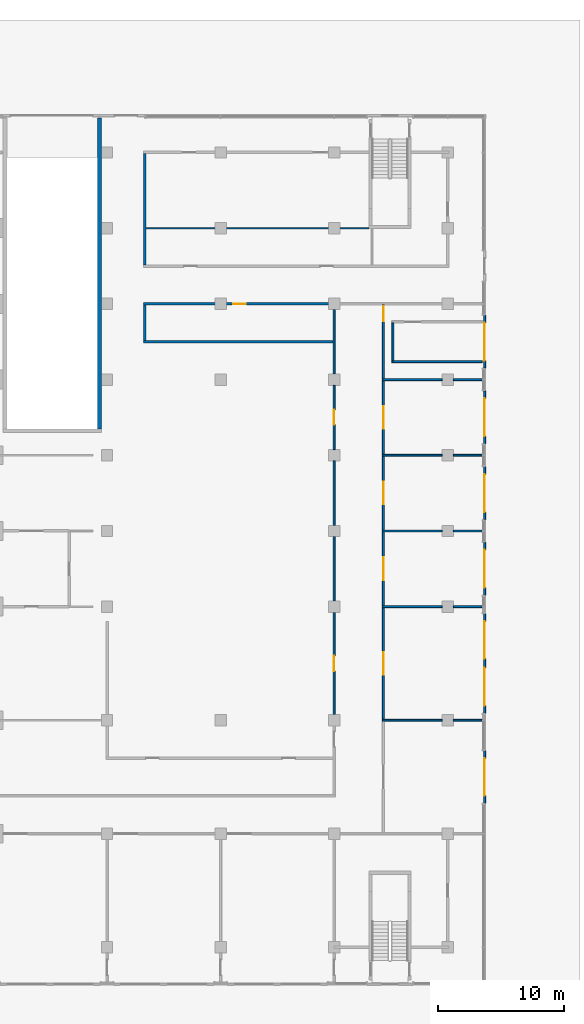
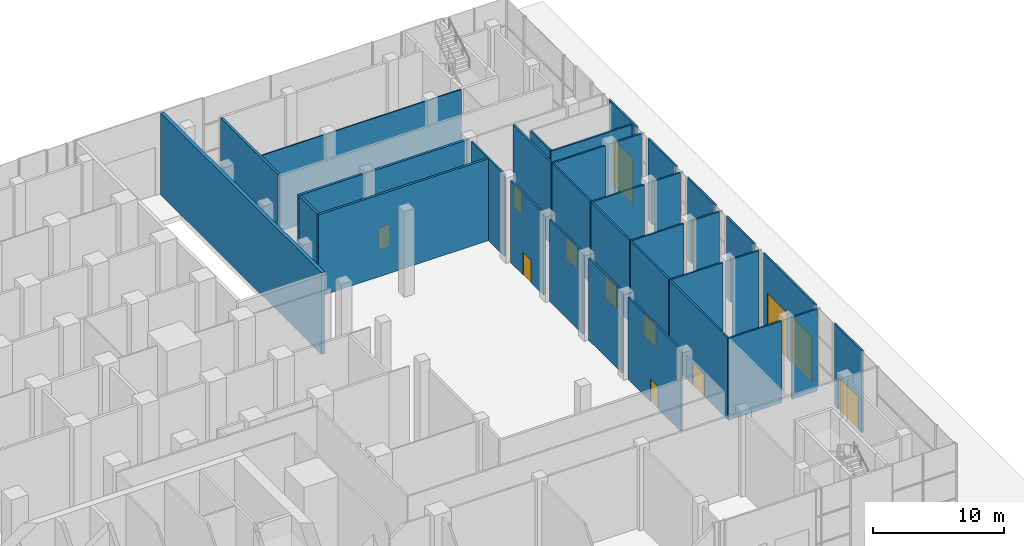
# One storey, part 23 of 29: 34 walls, 15 doors, 15 openings.
"""IFC4 building model written with IfcOpenShell, lengths in metres."""

from ifc_helpers import new_model, si_unit, direction, frame, frame_2d, origin, place, context, subcontext, project, spatial, rectangle, extrude, material, layer, layer_set, type_object, element, fill, save


model = new_model("IFC4")

# Units and contexts
model_context = context("Model", 3, precision=1e-05, world=origin(), true_north=direction((0.0, 1.0)))
body_context = subcontext(model_context, "Body", "Model", "MODEL_VIEW")
ifc_project = project(units=[si_unit("LENGTHUNIT", "METRE"), si_unit("AREAUNIT", "SQUARE_METRE"), si_unit("VOLUMEUNIT", "CUBIC_METRE"), si_unit("PLANEANGLEUNIT", "RADIAN"), si_unit("MASSUNIT", "GRAM", prefix="KILO")], contexts=[model_context])

# Site, building, storey
site_placement = place(None, origin())
site = spatial("IfcSite", under=ifc_project, at=site_placement, CompositionType="ELEMENT")
building_placement = place(site_placement, origin())
building = spatial("IfcBuilding", under=site, at=building_placement, Name="Finial Court Residences", CompositionType="ELEMENT")
storey_placement = place(building_placement, origin())
storey = spatial("IfcBuildingStorey", under=building, at=storey_placement, Name="L00", CompositionType="ELEMENT", Elevation=0.0)

# Wall
ifc_material_1 = material(Name="Gypsum board")
ifc_layer_1 = layer(ifc_material_1, 0.02490234375)
ifc_material_2 = material(Name="Acoustic mineral wool in double frame")
ifc_layer_2 = layer(ifc_material_2, 0.14990234375)
ifc_layer_3 = layer(ifc_material_1, 0.02490234375)
ifc_layer_set_1 = layer_set([ifc_layer_1, ifc_layer_2, ifc_layer_3], Name="Corridor wall 200, 1 hour")
wall_type_1 = type_object("IfcWallType", Name="Corridor wall 200, 1 hour", PredefinedType="PARTITIONING", material=ifc_layer_set_1)
wall_1_placement = place(storey_placement, frame((34.39990234375, 16.5, 0.0), z_axis=(0.0, 0.0, 1.0), x_axis=(1.0, 0.0, 0.0)))
element("IfcWall", 1, at=wall_1_placement, inside=storey, type_object=wall_type_1, Name="Partition L00-023", PredefinedType="PARTITIONING", context=body_context, shape_type="SweptSolid", body=[
    extrude(rectangle(XDim=15.10009765625, YDim=0.199951171875, at=frame_2d((7.550048828125, 0.0))), origin(), (0.0, 0.0, 1.0), 7.64990234375),
])

# Wall, opening, door
wall_2_placement = place(storey_placement, frame((34.39990234375, 19.5, 0.0), z_axis=(0.0, 0.0, 1.0), x_axis=(1.0, 0.0, 0.0)))
wall_2 = element("IfcWall", 2, at=wall_2_placement, inside=storey, type_object=wall_type_1, Name="Partition L00-025", PredefinedType="PARTITIONING", context=body_context, shape_type="SweptSolid", body=[
    extrude(rectangle(XDim=15.10009765625, YDim=0.199951171875, at=frame_2d((7.550048828125, 0.0))), origin(), (0.0, 0.0, 1.0), 7.64990234375),
])
opening_1_placement = place(wall_2_placement, frame((7.10009765625, 0.0, 0.0)))
opening_1 = element("IfcOpeningElement", 3, at=opening_1_placement, cuts=wall_2, Name="Opening L00-D028", PredefinedType="OPENING", context=body_context, shape_type="SweptSolid", body=[
    extrude(rectangle(XDim=1.0, YDim=2.10009765625, at=frame_2d((0.5, 1.050048828125))), frame((0.0, 0.10986328125, 0.0), z_axis=(0.0, -1.0, 0.0), x_axis=(1.0, 0.0, 0.0)), (0.0, 0.0, 1.0), 0.219970703125),
])
ifc_material_3 = material(Name="Timber door leaf in hollow metal frame", Category="wood")
door_type_1 = type_object("IfcDoorType", Name="Fire door set 1000 x 2100, 30 minutes", OperationType="SINGLE_SWING_LEFT", PredefinedType="DOOR", material=ifc_material_3)
door_1_placement = place(opening_1_placement, origin())
door_1 = element("IfcDoor", 4, at=door_1_placement, inside=storey, type_object=door_type_1, Name="Door L00-D028", OperationType="SINGLE_SWING_RIGHT", OverallHeight=2.10009765625, OverallWidth=1.0, PredefinedType="DOOR", context=body_context, shape_type="SweptSolid", body=[
    extrude(rectangle(XDim=1.0, YDim=2.10009765625, at=frame_2d((0.5, 1.050048828125))), frame((0.0, 0.02490234375, 0.0), z_axis=(0.0, -1.0, 0.0), x_axis=(1.0, 0.0, 0.0)), (0.0, 0.0, 1.0), 0.050048828125),
])
fill(opening_1, door_1)

# Walls
wall_3_placement = place(storey_placement, frame((34.5, 16.60009765625, 0.0), z_axis=(0.0, 0.0, 1.0), x_axis=(0.0, 1.0, 0.0)))
element("IfcWall", 5, at=wall_3_placement, inside=storey, type_object=wall_type_1, Name="Partition L00-049", PredefinedType="PARTITIONING", context=body_context, shape_type="SweptSolid", body=[
    extrude(rectangle(XDim=2.7998046875, YDim=0.199951171875, at=frame_2d((1.39990234375, 0.0))), origin(), (0.0, 0.0, 1.0), 7.64990234375),
])
wall_4_placement = place(storey_placement, frame((34.5, 22.60009765625, 0.0), z_axis=(0.0, 0.0, 1.0), x_axis=(0.0, 1.0, 0.0)))
element("IfcWall", 6, at=wall_4_placement, inside=storey, type_object=wall_type_1, Name="Partition L00-050", PredefinedType="PARTITIONING", context=body_context, shape_type="SweptSolid", body=[
    extrude(rectangle(XDim=8.7998046875, YDim=0.199951171875, at=frame_2d((4.39990234375, 0.0))), origin(), (0.0, 0.0, 1.0), 7.64990234375),
])

# Wall, opening, door
ifc_material_4 = material(Name="Natural limestone", Category="masonry")
ifc_layer_4 = layer(ifc_material_4, 0.14990234375)
ifc_layer_set_2 = layer_set([ifc_layer_4], Name="Entrance portal wall, limestone 150")
wall_type_2 = type_object("IfcWallType", Name="Entrance portal wall, limestone 150", PredefinedType="SOLIDWALL", material=ifc_layer_set_2)
wall_5_placement = place(storey_placement, frame((61.425048828125, -15.89990234375, 0.0), z_axis=(0.0, 0.0, 1.0), x_axis=(0.0, -1.0, 0.0)))
wall_5 = element("IfcWall", 7, at=wall_5_placement, inside=storey, type_object=wall_type_2, Name="E-L00-ENT18", PredefinedType="SOLIDWALL", context=body_context, shape_type="SweptSolid", body=[
    extrude(rectangle(XDim=4.2001953125, YDim=0.14990234375, at=frame_2d((2.10009765625, 0.0))), origin(), (0.0, 0.0, 1.0), 7.64990234375),
])
opening_2_placement = place(wall_5_placement, frame((0.60009765625, 0.0, 0.0)))
opening_2 = element("IfcOpeningElement", 8, at=opening_2_placement, cuts=wall_5, Name="Opening DE00-18", PredefinedType="OPENING", context=body_context, shape_type="SweptSolid", body=[
    extrude(rectangle(XDim=3.0, YDim=3.0, at=frame_2d((1.5, 1.5))), frame((0.0, 0.0849609375, 0.0), z_axis=(0.0, -1.0, 0.0), x_axis=(1.0, 0.0, 0.0)), (0.0, 0.0, 1.0), 0.169921875),
])
ifc_material_5 = material(Name="Steel S355", Category="steel")
door_type_2 = type_object("IfcDoorType", Name="Refuse door, overhead roller 3000 x 3000", OperationType="ROLLINGUP", PredefinedType="DOOR", material=ifc_material_5)
door_2_placement = place(opening_2_placement, origin())
door_2 = element("IfcDoor", 9, at=door_2_placement, inside=storey, type_object=door_type_2, Name="E-L00-ENT18-D", OperationType="ROLLINGUP", OverallHeight=3.0, OverallWidth=3.0, PredefinedType="DOOR", context=body_context, shape_type="SweptSolid", body=[
    extrude(rectangle(XDim=3.0, YDim=3.0, at=frame_2d((1.5, 1.5))), frame((0.0, 0.02490234375, 0.0), z_axis=(0.0, -1.0, 0.0), x_axis=(1.0, 0.0, 0.0)), (0.0, 0.0, 1.0), 0.050048828125),
])
fill(opening_2, door_2)

wall_6_placement = place(storey_placement, frame((61.425048828125, 18.60009765625, 0.0), z_axis=(0.0, 0.0, 1.0), x_axis=(0.0, -1.0, 0.0)))
wall_6 = element("IfcWall", 10, at=wall_6_placement, inside=storey, type_object=wall_type_2, Name="E-L00-ENT19", PredefinedType="SOLIDWALL", context=body_context, shape_type="SweptSolid", body=[
    extrude(rectangle(XDim=4.2001953125, YDim=0.14990234375, at=frame_2d((2.10009765625, 0.0))), origin(), (0.0, 0.0, 1.0), 7.64990234375),
])
opening_3_placement = place(wall_6_placement, frame((0.60009765625, 0.0, 0.0)))
opening_3 = element("IfcOpeningElement", 11, at=opening_3_placement, cuts=wall_6, Name="Opening DE00-19", PredefinedType="OPENING", context=body_context, shape_type="SweptSolid", body=[
    extrude(rectangle(XDim=3.0, YDim=4.300048828125, at=frame_2d((1.5, 2.14990234375))), frame((0.0, 0.0849609375, 0.0), z_axis=(0.0, -1.0, 0.0), x_axis=(1.0, 0.0, 0.0)), (0.0, 0.0, 1.0), 0.169921875),
])
door_type_3 = type_object("IfcDoorType", Name="Move-in door, overhead sectional 3000 x 4300", OperationType="ROLLINGUP", PredefinedType="DOOR", material=ifc_material_5)
door_3_placement = place(opening_3_placement, origin())
door_3 = element("IfcDoor", 12, at=door_3_placement, inside=storey, type_object=door_type_3, Name="E-L00-ENT19-D", OperationType="ROLLINGUP", OverallHeight=4.300048828125, OverallWidth=3.0, PredefinedType="DOOR", context=body_context, shape_type="SweptSolid", body=[
    extrude(rectangle(XDim=3.0, YDim=4.300048828125, at=frame_2d((1.5, 2.14990234375))), frame((0.0, 0.02490234375, 0.0), z_axis=(0.0, -1.0, 0.0), x_axis=(1.0, 0.0, 0.0)), (0.0, 0.0, 1.0), 0.050048828125),
])
fill(opening_3, door_3)

# Wall, openings, doors
wall_7_placement = place(storey_placement, frame((61.425048828125, -5.041748046875, 0.0), z_axis=(0.0, 0.0, 1.0), x_axis=(0.0, -1.0, 0.0)))
wall_7 = element("IfcWall", 13, at=wall_7_placement, inside=storey, type_object=wall_type_2, Name="E-L00-ENT20", PredefinedType="SOLIDWALL", context=body_context, shape_type="SweptSolid", body=[
    extrude(rectangle(XDim=7.91650390625, YDim=0.14990234375, at=frame_2d((3.958251953125, 0.0))), origin(), (0.0, 0.0, 1.0), 7.64990234375),
])
opening_4_placement = place(wall_7_placement, frame((4.316650390625, 0.0, 0.0)))
opening_4 = element("IfcOpeningElement", 14, at=opening_4_placement, cuts=wall_7, Name="Opening DE00-20", PredefinedType="OPENING", context=body_context, shape_type="SweptSolid", body=[
    extrude(rectangle(XDim=3.0, YDim=4.300048828125, at=frame_2d((1.5, 2.14990234375))), frame((0.0, 0.0849609375, 0.0), z_axis=(0.0, -1.0, 0.0), x_axis=(1.0, 0.0, 0.0)), (0.0, 0.0, 1.0), 0.169921875),
])
opening_5_placement = place(wall_7_placement, frame((0.60009765625, 0.0, 0.0)))
opening_5 = element("IfcOpeningElement", 15, at=opening_5_placement, cuts=wall_7, Name="Opening DE00-21", PredefinedType="OPENING", context=body_context, shape_type="SweptSolid", body=[
    extrude(rectangle(XDim=3.0, YDim=4.300048828125, at=frame_2d((1.5, 2.14990234375))), frame((0.0, 0.0849609375, 0.0), z_axis=(0.0, -1.0, 0.0), x_axis=(1.0, 0.0, 0.0)), (0.0, 0.0, 1.0), 0.169921875),
])
door_type_4 = type_object("IfcDoorType", Name="Dock door, overhead sectional 3000 x 4300", OperationType="ROLLINGUP", PredefinedType="DOOR", material=ifc_material_5)
door_4_placement = place(opening_4_placement, origin())
door_4 = element("IfcDoor", 16, at=door_4_placement, inside=storey, type_object=door_type_4, Name="E-L00-ENT20-D1", OperationType="ROLLINGUP", OverallHeight=4.300048828125, OverallWidth=3.0, PredefinedType="DOOR", context=body_context, shape_type="SweptSolid", body=[
    extrude(rectangle(XDim=3.0, YDim=4.300048828125, at=frame_2d((1.5, 2.14990234375))), frame((0.0, 0.02490234375, 0.0), z_axis=(0.0, -1.0, 0.0), x_axis=(1.0, 0.0, 0.0)), (0.0, 0.0, 1.0), 0.050048828125),
])
fill(opening_4, door_4)
door_5_placement = place(opening_5_placement, origin())
door_5 = element("IfcDoor", 17, at=door_5_placement, inside=storey, type_object=door_type_4, Name="E-L00-ENT20-D2", OperationType="ROLLINGUP", OverallHeight=4.300048828125, OverallWidth=3.0, PredefinedType="DOOR", context=body_context, shape_type="SweptSolid", body=[
    extrude(rectangle(XDim=3.0, YDim=4.300048828125, at=frame_2d((1.5, 2.14990234375))), frame((0.0, 0.02490234375, 0.0), z_axis=(0.0, -1.0, 0.0), x_axis=(1.0, 0.0, 0.0)), (0.0, 0.0, 1.0), 0.050048828125),
])
fill(opening_5, door_5)

# Wall, opening, door
wall_8_placement = place(storey_placement, frame((61.425048828125, 0.60009765625, 0.0), z_axis=(0.0, 0.0, 1.0), x_axis=(0.0, -1.0, 0.0)))
wall_8 = element("IfcWall", 18, at=wall_8_placement, inside=storey, type_object=wall_type_2, Name="E-L00-ENT21", PredefinedType="SOLIDWALL", context=body_context, shape_type="SweptSolid", body=[
    extrude(rectangle(XDim=4.2001953125, YDim=0.14990234375, at=frame_2d((2.10009765625, 0.0))), origin(), (0.0, 0.0, 1.0), 7.64990234375),
])
opening_6_placement = place(wall_8_placement, frame((0.60009765625, 0.0, 0.0)))
opening_6 = element("IfcOpeningElement", 19, at=opening_6_placement, cuts=wall_8, Name="Opening DE00-22", PredefinedType="OPENING", context=body_context, shape_type="SweptSolid", body=[
    extrude(rectangle(XDim=3.0, YDim=4.300048828125, at=frame_2d((1.5, 2.14990234375))), frame((0.0, 0.0849609375, 0.0), z_axis=(0.0, -1.0, 0.0), x_axis=(1.0, 0.0, 0.0)), (0.0, 0.0, 1.0), 0.169921875),
])
door_6_placement = place(opening_6_placement, origin())
door_6 = element("IfcDoor", 20, at=door_6_placement, inside=storey, type_object=door_type_4, Name="E-L00-ENT21-D", OperationType="ROLLINGUP", OverallHeight=4.300048828125, OverallWidth=3.0, PredefinedType="DOOR", context=body_context, shape_type="SweptSolid", body=[
    extrude(rectangle(XDim=3.0, YDim=4.300048828125, at=frame_2d((1.5, 2.14990234375))), frame((0.0, 0.02490234375, 0.0), z_axis=(0.0, -1.0, 0.0), x_axis=(1.0, 0.0, 0.0)), (0.0, 0.0, 1.0), 0.050048828125),
])
fill(opening_6, door_6)

wall_9_placement = place(storey_placement, frame((61.425048828125, 6.60009765625, 0.0), z_axis=(0.0, 0.0, 1.0), x_axis=(0.0, -1.0, 0.0)))
wall_9 = element("IfcWall", 21, at=wall_9_placement, inside=storey, type_object=wall_type_2, Name="E-L00-ENT22", PredefinedType="SOLIDWALL", context=body_context, shape_type="SweptSolid", body=[
    extrude(rectangle(XDim=4.2001953125, YDim=0.14990234375, at=frame_2d((2.10009765625, 0.0))), origin(), (0.0, 0.0, 1.0), 7.64990234375),
])
opening_7_placement = place(wall_9_placement, frame((0.60009765625, 0.0, 0.0)))
opening_7 = element("IfcOpeningElement", 22, at=opening_7_placement, cuts=wall_9, Name="Opening DE00-23", PredefinedType="OPENING", context=body_context, shape_type="SweptSolid", body=[
    extrude(rectangle(XDim=3.0, YDim=4.300048828125, at=frame_2d((1.5, 2.14990234375))), frame((0.0, 0.0849609375, 0.0), z_axis=(0.0, -1.0, 0.0), x_axis=(1.0, 0.0, 0.0)), (0.0, 0.0, 1.0), 0.169921875),
])
door_7_placement = place(opening_7_placement, origin())
door_7 = element("IfcDoor", 23, at=door_7_placement, inside=storey, type_object=door_type_4, Name="E-L00-ENT22-D", OperationType="ROLLINGUP", OverallHeight=4.300048828125, OverallWidth=3.0, PredefinedType="DOOR", context=body_context, shape_type="SweptSolid", body=[
    extrude(rectangle(XDim=3.0, YDim=4.300048828125, at=frame_2d((1.5, 2.14990234375))), frame((0.0, 0.02490234375, 0.0), z_axis=(0.0, -1.0, 0.0), x_axis=(1.0, 0.0, 0.0)), (0.0, 0.0, 1.0), 0.050048828125),
])
fill(opening_7, door_7)

wall_10_placement = place(storey_placement, frame((61.425048828125, 12.60009765625, 0.0), z_axis=(0.0, 0.0, 1.0), x_axis=(0.0, -1.0, 0.0)))
wall_10 = element("IfcWall", 24, at=wall_10_placement, inside=storey, type_object=wall_type_2, Name="E-L00-ENT23", PredefinedType="SOLIDWALL", context=body_context, shape_type="SweptSolid", body=[
    extrude(rectangle(XDim=4.2001953125, YDim=0.14990234375, at=frame_2d((2.10009765625, 0.0))), origin(), (0.0, 0.0, 1.0), 7.64990234375),
])
opening_8_placement = place(wall_10_placement, frame((0.60009765625, 0.0, 0.0)))
opening_8 = element("IfcOpeningElement", 25, at=opening_8_placement, cuts=wall_10, Name="Opening DE00-24", PredefinedType="OPENING", context=body_context, shape_type="SweptSolid", body=[
    extrude(rectangle(XDim=3.0, YDim=4.300048828125, at=frame_2d((1.5, 2.14990234375))), frame((0.0, 0.0849609375, 0.0), z_axis=(0.0, -1.0, 0.0), x_axis=(1.0, 0.0, 0.0)), (0.0, 0.0, 1.0), 0.169921875),
])
door_8_placement = place(opening_8_placement, origin())
door_8 = element("IfcDoor", 26, at=door_8_placement, inside=storey, type_object=door_type_4, Name="E-L00-ENT23-D", OperationType="ROLLINGUP", OverallHeight=4.300048828125, OverallWidth=3.0, PredefinedType="DOOR", context=body_context, shape_type="SweptSolid", body=[
    extrude(rectangle(XDim=3.0, YDim=4.300048828125, at=frame_2d((1.5, 2.14990234375))), frame((0.0, 0.02490234375, 0.0), z_axis=(0.0, -1.0, 0.0), x_axis=(1.0, 0.0, 0.0)), (0.0, 0.0, 1.0), 0.050048828125),
])
fill(opening_8, door_8)

# Walls
ifc_layer_5 = layer(ifc_material_1, 0.012451171875)
ifc_material_6 = material(Name="Mineral wool in light-gauge frame")
ifc_layer_6 = layer(ifc_material_6, 0.074951171875)
ifc_layer_7 = layer(ifc_material_1, 0.012451171875)
ifc_layer_set_3 = layer_set([ifc_layer_5, ifc_layer_6, ifc_layer_7], Name="Gypsum board partition 100")
wall_type_3 = type_object("IfcWallType", Name="Gypsum board partition 100", PredefinedType="PARTITIONING", material=ifc_layer_set_3)
wall_11_placement = place(storey_placement, frame((34.60009765625, 25.5, 0.0), z_axis=(0.0, 0.0, 1.0), x_axis=(1.0, 0.0, 0.0)))
element("IfcWall", 27, at=wall_11_placement, inside=storey, type_object=wall_type_3, Name="Partition L00-029", PredefinedType="PARTITIONING", context=body_context, shape_type="SweptSolid", body=[
    extrude(rectangle(XDim=17.64990234375, YDim=0.10009765625, at=frame_2d((8.824951171875, 0.0))), origin(), (0.0, 0.0, 1.0), 7.64990234375),
])
ifc_material_7 = material(Name="Concrete C32/40", Category="concrete")
ifc_layer_8 = layer(ifc_material_7, 0.300048828125)
ifc_layer_set_4 = layer_set([ifc_layer_8], Name="Ramp hall wall 300 Concrete C32/40")
wall_type_4 = type_object("IfcWallType", Name="Ramp hall wall 300 Concrete C32/40", PredefinedType="SOLIDWALL", material=ifc_layer_set_4)
wall_12_placement = place(storey_placement, frame((30.89990234375, 9.60009765625, 0.0), z_axis=(0.0, 0.0, 1.0), x_axis=(0.0, 1.0, 0.0)))
element("IfcWall", 28, at=wall_12_placement, inside=storey, type_object=wall_type_4, Name="Ramp hall wall L00-V031", PredefinedType="SOLIDWALL", context=body_context, shape_type="SweptSolid", body=[
    extrude(rectangle(XDim=24.64990234375, YDim=0.300048828125, at=frame_2d((12.324951171875, 0.0))), origin(), (0.0, 0.0, 1.0), 7.64990234375),
])
ifc_material_8 = material(Name="Concrete C25/30", Category="concrete")
ifc_layer_9 = layer(ifc_material_8, 0.14990234375)
ifc_layer_set_5 = layer_set([ifc_layer_9], Name="Service partition 150 Concrete C25/30")
wall_type_5 = type_object("IfcWallType", Name="Service partition 150 Concrete C25/30", PredefinedType="PARTITIONING", material=ifc_layer_set_5)
wall_13_placement = place(storey_placement, frame((53.324951171875, -13.5, 0.0), z_axis=(0.0, 0.0, 1.0), x_axis=(1.0, 0.0, 0.0)))
element("IfcWall", 29, at=wall_13_placement, inside=storey, type_object=wall_type_5, Name="Service partition L00-V008", PredefinedType="PARTITIONING", context=body_context, shape_type="SweptSolid", body=[
    extrude(rectangle(XDim=4.72509765625, YDim=0.14990234375, at=frame_2d((2.362548828125, 0.0))), origin(), (0.0, 0.0, 1.0), 7.64990234375),
])
wall_14_placement = place(storey_placement, frame((58.949951171875, -13.5, 0.0), z_axis=(0.0, 0.0, 1.0), x_axis=(1.0, 0.0, 0.0)))
element("IfcWall", 30, at=wall_14_placement, inside=storey, type_object=wall_type_5, Name="Service partition L00-V009", PredefinedType="PARTITIONING", context=body_context, shape_type="SweptSolid", body=[
    extrude(rectangle(XDim=2.275146484375, YDim=0.14990234375, at=frame_2d((1.1376953125, 0.0))), origin(), (0.0, 0.0, 1.0), 7.64990234375),
])
wall_15_placement = place(storey_placement, frame((53.324951171875, -4.5, 0.0), z_axis=(0.0, 0.0, 1.0), x_axis=(1.0, 0.0, 0.0)))
element("IfcWall", 31, at=wall_15_placement, inside=storey, type_object=wall_type_5, Name="Service partition L00-V012", PredefinedType="PARTITIONING", context=body_context, shape_type="SweptSolid", body=[
    extrude(rectangle(XDim=4.72509765625, YDim=0.14990234375, at=frame_2d((2.362548828125, 0.0))), origin(), (0.0, 0.0, 1.0), 7.64990234375),
])
wall_16_placement = place(storey_placement, frame((58.949951171875, -4.5, 0.0), z_axis=(0.0, 0.0, 1.0), x_axis=(1.0, 0.0, 0.0)))
element("IfcWall", 32, at=wall_16_placement, inside=storey, type_object=wall_type_5, Name="Service partition L00-V013", PredefinedType="PARTITIONING", context=body_context, shape_type="SweptSolid", body=[
    extrude(rectangle(XDim=2.275146484375, YDim=0.14990234375, at=frame_2d((1.1376953125, 0.0))), origin(), (0.0, 0.0, 1.0), 7.64990234375),
])
wall_17_placement = place(storey_placement, frame((53.324951171875, 1.5, 0.0), z_axis=(0.0, 0.0, 1.0), x_axis=(1.0, 0.0, 0.0)))
element("IfcWall", 33, at=wall_17_placement, inside=storey, type_object=wall_type_5, Name="Service partition L00-V014", PredefinedType="PARTITIONING", context=body_context, shape_type="SweptSolid", body=[
    extrude(rectangle(XDim=4.72509765625, YDim=0.14990234375, at=frame_2d((2.362548828125, 0.0))), origin(), (0.0, 0.0, 1.0), 7.64990234375),
])
wall_18_placement = place(storey_placement, frame((58.949951171875, 1.5, 0.0), z_axis=(0.0, 0.0, 1.0), x_axis=(1.0, 0.0, 0.0)))
element("IfcWall", 34, at=wall_18_placement, inside=storey, type_object=wall_type_5, Name="Service partition L00-V015", PredefinedType="PARTITIONING", context=body_context, shape_type="SweptSolid", body=[
    extrude(rectangle(XDim=2.275146484375, YDim=0.14990234375, at=frame_2d((1.1376953125, 0.0))), origin(), (0.0, 0.0, 1.0), 7.64990234375),
])
wall_19_placement = place(storey_placement, frame((53.324951171875, 7.5, 0.0), z_axis=(0.0, 0.0, 1.0), x_axis=(1.0, 0.0, 0.0)))
element("IfcWall", 35, at=wall_19_placement, inside=storey, type_object=wall_type_5, Name="Service partition L00-V016", PredefinedType="PARTITIONING", context=body_context, shape_type="SweptSolid", body=[
    extrude(rectangle(XDim=4.72509765625, YDim=0.14990234375, at=frame_2d((2.362548828125, 0.0))), origin(), (0.0, 0.0, 1.0), 7.64990234375),
])
wall_20_placement = place(storey_placement, frame((58.949951171875, 7.5, 0.0), z_axis=(0.0, 0.0, 1.0), x_axis=(1.0, 0.0, 0.0)))
element("IfcWall", 36, at=wall_20_placement, inside=storey, type_object=wall_type_5, Name="Service partition L00-V017", PredefinedType="PARTITIONING", context=body_context, shape_type="SweptSolid", body=[
    extrude(rectangle(XDim=2.275146484375, YDim=0.14990234375, at=frame_2d((1.1376953125, 0.0))), origin(), (0.0, 0.0, 1.0), 7.64990234375),
])
wall_21_placement = place(storey_placement, frame((53.324951171875, 13.5, 0.0), z_axis=(0.0, 0.0, 1.0), x_axis=(1.0, 0.0, 0.0)))
element("IfcWall", 37, at=wall_21_placement, inside=storey, type_object=wall_type_5, Name="Service partition L00-V019", PredefinedType="PARTITIONING", context=body_context, shape_type="SweptSolid", body=[
    extrude(rectangle(XDim=4.72509765625, YDim=0.14990234375, at=frame_2d((2.362548828125, 0.0))), origin(), (0.0, 0.0, 1.0), 7.64990234375),
])
wall_22_placement = place(storey_placement, frame((58.949951171875, 13.5, 0.0), z_axis=(0.0, 0.0, 1.0), x_axis=(1.0, 0.0, 0.0)))
element("IfcWall", 38, at=wall_22_placement, inside=storey, type_object=wall_type_5, Name="Service partition L00-V020", PredefinedType="PARTITIONING", context=body_context, shape_type="SweptSolid", body=[
    extrude(rectangle(XDim=2.275146484375, YDim=0.14990234375, at=frame_2d((1.1376953125, 0.0))), origin(), (0.0, 0.0, 1.0), 7.64990234375),
])
wall_23_placement = place(storey_placement, frame((54.074951171875, 14.925048828125, 0.0), z_axis=(0.0, 0.0, 1.0), x_axis=(1.0, 0.0, 0.0)))
element("IfcWall", 39, at=wall_23_placement, inside=storey, type_object=wall_type_5, Name="Service partition L00-V021", PredefinedType="PARTITIONING", context=body_context, shape_type="SweptSolid", body=[
    extrude(rectangle(XDim=7.150146484375, YDim=0.14990234375, at=frame_2d((3.5751953125, 0.0))), origin(), (0.0, 0.0, 1.0), 7.64990234375),
])

# Wall, opening, door
wall_24_placement = place(storey_placement, frame((49.5, -13.050048828125, 0.0), z_axis=(0.0, 0.0, 1.0), x_axis=(0.0, 1.0, 0.0)))
wall_24 = element("IfcWall", 40, at=wall_24_placement, inside=storey, type_object=wall_type_5, Name="Service partition L00-V039", PredefinedType="PARTITIONING", context=body_context, shape_type="SweptSolid", body=[
    extrude(rectangle(XDim=8.10009765625, YDim=0.14990234375, at=frame_2d((4.050048828125, 0.0))), origin(), (0.0, 0.0, 1.0), 7.64990234375),
])
opening_9_placement = place(wall_24_placement, frame((3.449951171875, 0.0, 0.0)))
opening_9 = element("IfcOpeningElement", 41, at=opening_9_placement, cuts=wall_24, Name="Opening L00-V15", PredefinedType="OPENING", context=body_context, shape_type="SweptSolid", body=[
    extrude(rectangle(XDim=1.199951171875, YDim=2.10009765625, at=frame_2d((0.60009765625, 1.050048828125))), frame((0.0, 0.0849609375, 0.0), z_axis=(0.0, -1.0, 0.0), x_axis=(1.0, 0.0, 0.0)), (0.0, 0.0, 1.0), 0.169921875),
])
ifc_material_9 = material(Name="Steel fire door", Category="steel")
door_type_5 = type_object("IfcDoorType", Name="Service access door 1200 x 2100 EI 60", OperationType="NOTDEFINED", PredefinedType="DOOR", material=ifc_material_9)
door_9_placement = place(opening_9_placement, origin())
door_9 = element("IfcDoor", 42, at=door_9_placement, inside=storey, type_object=door_type_5, Name="Service access door L00-V15", OperationType="SINGLE_SWING_LEFT", OverallHeight=2.10009765625, OverallWidth=1.199951171875, PredefinedType="DOOR", context=body_context, shape_type="SweptSolid", body=[
    extrude(rectangle(XDim=1.199951171875, YDim=2.10009765625, at=frame_2d((0.60009765625, 1.050048828125))), frame((0.0, 0.02490234375, 0.0), z_axis=(0.0, -1.0, 0.0), x_axis=(1.0, 0.0, 0.0)), (0.0, 0.0, 1.0), 0.050048828125),
])
fill(opening_9, door_9)

# Walls
for number, where, z_axis, x_axis, name in (
    (43, (49.5, -4.050048828125, 0.0), (0.0, 0.0, 1.0), (0.0, 1.0, 0.0), "Service partition L00-V040"),
    (44, (49.5, 1.949951171875, 0.0), (0.0, 0.0, 1.0), (0.0, 1.0, 0.0), "Service partition L00-V041"),
):
    element("IfcWall", number, at=place(storey_placement, frame(where, z_axis=z_axis, x_axis=x_axis)), inside=storey, type_object=wall_type_5, Name=name, PredefinedType="PARTITIONING", context=body_context, shape_type="SweptSolid", body=[
        extrude(rectangle(XDim=5.10009765625, YDim=0.14990234375, at=frame_2d((2.550048828125, 0.0))), origin(), (0.0, 0.0, 1.0), 7.64990234375),
    ])

# Wall, opening, door
wall_25_placement = place(storey_placement, frame((49.5, 7.949951171875, 0.0), z_axis=(0.0, 0.0, 1.0), x_axis=(0.0, 1.0, 0.0)))
wall_25 = element("IfcWall", 45, at=wall_25_placement, inside=storey, type_object=wall_type_5, Name="Service partition L00-V042", PredefinedType="PARTITIONING", context=body_context, shape_type="SweptSolid", body=[
    extrude(rectangle(XDim=5.10009765625, YDim=0.14990234375, at=frame_2d((2.550048828125, 0.0))), origin(), (0.0, 0.0, 1.0), 7.64990234375),
])
opening_10_placement = place(wall_25_placement, frame((1.949951171875, 0.0, 0.0)))
opening_10 = element("IfcOpeningElement", 46, at=opening_10_placement, cuts=wall_25, Name="Opening L00-V16", PredefinedType="OPENING", context=body_context, shape_type="SweptSolid", body=[
    extrude(rectangle(XDim=1.199951171875, YDim=2.10009765625, at=frame_2d((0.60009765625, 1.050048828125))), frame((0.0, 0.0849609375, 0.0), z_axis=(0.0, -1.0, 0.0), x_axis=(1.0, 0.0, 0.0)), (0.0, 0.0, 1.0), 0.169921875),
])
door_10_placement = place(opening_10_placement, origin())
door_10 = element("IfcDoor", 47, at=door_10_placement, inside=storey, type_object=door_type_5, Name="Service access door L00-V16", OperationType="SINGLE_SWING_LEFT", OverallHeight=2.10009765625, OverallWidth=1.199951171875, PredefinedType="DOOR", context=body_context, shape_type="SweptSolid", body=[
    extrude(rectangle(XDim=1.199951171875, YDim=2.10009765625, at=frame_2d((0.60009765625, 1.050048828125))), frame((0.0, 0.02490234375, 0.0), z_axis=(0.0, -1.0, 0.0), x_axis=(1.0, 0.0, 0.0)), (0.0, 0.0, 1.0), 0.050048828125),
])
fill(opening_10, door_10)

# Wall
wall_26_placement = place(storey_placement, frame((49.5, 13.949951171875, 0.0), z_axis=(0.0, 0.0, 1.0), x_axis=(0.0, 1.0, 0.0)))
element("IfcWall", 48, at=wall_26_placement, inside=storey, type_object=wall_type_5, Name="Service partition L00-V043", PredefinedType="PARTITIONING", context=body_context, shape_type="SweptSolid", body=[
    extrude(rectangle(XDim=5.10009765625, YDim=0.14990234375, at=frame_2d((2.550048828125, 0.0))), origin(), (0.0, 0.0, 1.0), 7.64990234375),
])

# Wall, opening, door
wall_27_placement = place(storey_placement, frame((53.39990234375, -13.425048828125, 0.0), z_axis=(0.0, 0.0, 1.0), x_axis=(0.0, 1.0, 0.0)))
wall_27 = element("IfcWall", 49, at=wall_27_placement, inside=storey, type_object=wall_type_5, Name="Service partition L00-V045", PredefinedType="PARTITIONING", context=body_context, shape_type="SweptSolid", body=[
    extrude(rectangle(XDim=8.85009765625, YDim=0.14990234375, at=frame_2d((4.425048828125, 0.0))), origin(), (0.0, 0.0, 1.0), 7.64990234375),
])
opening_11_placement = place(wall_27_placement, frame((3.52490234375, 0.0, 0.0)))
opening_11 = element("IfcOpeningElement", 50, at=opening_11_placement, cuts=wall_27, Name="Opening L00-V01", PredefinedType="OPENING", context=body_context, shape_type="SweptSolid", body=[
    extrude(rectangle(XDim=1.800048828125, YDim=2.10009765625, at=frame_2d((0.89990234375, 1.050048828125))), frame((0.0, 0.0849609375, 0.0), z_axis=(0.0, -1.0, 0.0), x_axis=(1.0, 0.0, 0.0)), (0.0, 0.0, 1.0), 0.169921875),
])
door_type_6 = type_object("IfcDoorType", Name="Service double door 1800 x 2100 EI 60", OperationType="DOUBLE_DOOR_SINGLE_SWING", PredefinedType="DOOR", material=ifc_material_9)
door_11_placement = place(opening_11_placement, origin())
door_11 = element("IfcDoor", 51, at=door_11_placement, inside=storey, type_object=door_type_6, Name="Service double door L00-V01", OperationType="DOUBLE_DOOR_SINGLE_SWING", OverallHeight=2.10009765625, OverallWidth=1.800048828125, PredefinedType="DOOR", context=body_context, shape_type="SweptSolid", body=[
    extrude(rectangle(XDim=1.800048828125, YDim=2.10009765625, at=frame_2d((0.89990234375, 1.050048828125))), frame((0.0, 0.02490234375, 0.0), z_axis=(0.0, -1.0, 0.0), x_axis=(1.0, 0.0, 0.0)), (0.0, 0.0, 1.0), 0.050048828125),
])
fill(opening_11, door_11)

wall_28_placement = place(storey_placement, frame((53.39990234375, -4.425048828125, 0.0), z_axis=(0.0, 0.0, 1.0), x_axis=(0.0, 1.0, 0.0)))
wall_28 = element("IfcWall", 52, at=wall_28_placement, inside=storey, type_object=wall_type_5, Name="Service partition L00-V046", PredefinedType="PARTITIONING", context=body_context, shape_type="SweptSolid", body=[
    extrude(rectangle(XDim=5.85009765625, YDim=0.14990234375, at=frame_2d((2.925048828125, 0.0))), origin(), (0.0, 0.0, 1.0), 7.64990234375),
])
opening_12_placement = place(wall_28_placement, frame((2.02490234375, 0.0, 0.0)))
opening_12 = element("IfcOpeningElement", 53, at=opening_12_placement, cuts=wall_28, Name="Opening L00-V02", PredefinedType="OPENING", context=body_context, shape_type="SweptSolid", body=[
    extrude(rectangle(XDim=1.800048828125, YDim=2.10009765625, at=frame_2d((0.89990234375, 1.050048828125))), frame((0.0, 0.0849609375, 0.0), z_axis=(0.0, -1.0, 0.0), x_axis=(1.0, 0.0, 0.0)), (0.0, 0.0, 1.0), 0.169921875),
])
door_12_placement = place(opening_12_placement, origin())
door_12 = element("IfcDoor", 54, at=door_12_placement, inside=storey, type_object=door_type_6, Name="Service double door L00-V02", OperationType="DOUBLE_DOOR_SINGLE_SWING", OverallHeight=2.10009765625, OverallWidth=1.800048828125, PredefinedType="DOOR", context=body_context, shape_type="SweptSolid", body=[
    extrude(rectangle(XDim=1.800048828125, YDim=2.10009765625, at=frame_2d((0.89990234375, 1.050048828125))), frame((0.0, 0.02490234375, 0.0), z_axis=(0.0, -1.0, 0.0), x_axis=(1.0, 0.0, 0.0)), (0.0, 0.0, 1.0), 0.050048828125),
])
fill(opening_12, door_12)

wall_29_placement = place(storey_placement, frame((53.39990234375, 1.574951171875, 0.0), z_axis=(0.0, 0.0, 1.0), x_axis=(0.0, 1.0, 0.0)))
wall_29 = element("IfcWall", 55, at=wall_29_placement, inside=storey, type_object=wall_type_5, Name="Service partition L00-V047", PredefinedType="PARTITIONING", context=body_context, shape_type="SweptSolid", body=[
    extrude(rectangle(XDim=5.85009765625, YDim=0.14990234375, at=frame_2d((2.925048828125, 0.0))), origin(), (0.0, 0.0, 1.0), 7.64990234375),
])
opening_13_placement = place(wall_29_placement, frame((2.02490234375, 0.0, 0.0)))
opening_13 = element("IfcOpeningElement", 56, at=opening_13_placement, cuts=wall_29, Name="Opening L00-V03", PredefinedType="OPENING", context=body_context, shape_type="SweptSolid", body=[
    extrude(rectangle(XDim=1.800048828125, YDim=2.10009765625, at=frame_2d((0.89990234375, 1.050048828125))), frame((0.0, 0.0849609375, 0.0), z_axis=(0.0, -1.0, 0.0), x_axis=(1.0, 0.0, 0.0)), (0.0, 0.0, 1.0), 0.169921875),
])
door_13_placement = place(opening_13_placement, origin())
door_13 = element("IfcDoor", 57, at=door_13_placement, inside=storey, type_object=door_type_6, Name="Service double door L00-V03", OperationType="DOUBLE_DOOR_SINGLE_SWING", OverallHeight=2.10009765625, OverallWidth=1.800048828125, PredefinedType="DOOR", context=body_context, shape_type="SweptSolid", body=[
    extrude(rectangle(XDim=1.800048828125, YDim=2.10009765625, at=frame_2d((0.89990234375, 1.050048828125))), frame((0.0, 0.02490234375, 0.0), z_axis=(0.0, -1.0, 0.0), x_axis=(1.0, 0.0, 0.0)), (0.0, 0.0, 1.0), 0.050048828125),
])
fill(opening_13, door_13)

wall_30_placement = place(storey_placement, frame((53.39990234375, 7.574951171875, 0.0), z_axis=(0.0, 0.0, 1.0), x_axis=(0.0, 1.0, 0.0)))
wall_30 = element("IfcWall", 58, at=wall_30_placement, inside=storey, type_object=wall_type_5, Name="Service partition L00-V048", PredefinedType="PARTITIONING", context=body_context, shape_type="SweptSolid", body=[
    extrude(rectangle(XDim=5.85009765625, YDim=0.14990234375, at=frame_2d((2.925048828125, 0.0))), origin(), (0.0, 0.0, 1.0), 7.64990234375),
])
opening_14_placement = place(wall_30_placement, frame((2.02490234375, 0.0, 0.0)))
opening_14 = element("IfcOpeningElement", 59, at=opening_14_placement, cuts=wall_30, Name="Opening L00-V04", PredefinedType="OPENING", context=body_context, shape_type="SweptSolid", body=[
    extrude(rectangle(XDim=1.800048828125, YDim=2.10009765625, at=frame_2d((0.89990234375, 1.050048828125))), frame((0.0, 0.0849609375, 0.0), z_axis=(0.0, -1.0, 0.0), x_axis=(1.0, 0.0, 0.0)), (0.0, 0.0, 1.0), 0.169921875),
])
door_14_placement = place(opening_14_placement, origin())
door_14 = element("IfcDoor", 60, at=door_14_placement, inside=storey, type_object=door_type_6, Name="Service double door L00-V04", OperationType="DOUBLE_DOOR_SINGLE_SWING", OverallHeight=2.10009765625, OverallWidth=1.800048828125, PredefinedType="DOOR", context=body_context, shape_type="SweptSolid", body=[
    extrude(rectangle(XDim=1.800048828125, YDim=2.10009765625, at=frame_2d((0.89990234375, 1.050048828125))), frame((0.0, 0.02490234375, 0.0), z_axis=(0.0, -1.0, 0.0), x_axis=(1.0, 0.0, 0.0)), (0.0, 0.0, 1.0), 0.050048828125),
])
fill(opening_14, door_14)

wall_31_placement = place(storey_placement, frame((53.39990234375, 13.574951171875, 0.0), z_axis=(0.0, 0.0, 1.0), x_axis=(0.0, 1.0, 0.0)))
wall_31 = element("IfcWall", 61, at=wall_31_placement, inside=storey, type_object=wall_type_5, Name="Service partition L00-V049", PredefinedType="PARTITIONING", context=body_context, shape_type="SweptSolid", body=[
    extrude(rectangle(XDim=5.85009765625, YDim=0.14990234375, at=frame_2d((2.925048828125, 0.0))), origin(), (0.0, 0.0, 1.0), 7.64990234375),
])
opening_15_placement = place(wall_31_placement, frame((4.550048828125, 0.0, 0.0)))
opening_15 = element("IfcOpeningElement", 62, at=opening_15_placement, cuts=wall_31, Name="Opening L00-V12", PredefinedType="OPENING", context=body_context, shape_type="SweptSolid", body=[
    extrude(rectangle(XDim=1.199951171875, YDim=2.10009765625, at=frame_2d((0.60009765625, 1.050048828125))), frame((0.0, 0.0849609375, 0.0), z_axis=(0.0, -1.0, 0.0), x_axis=(1.0, 0.0, 0.0)), (0.0, 0.0, 1.0), 0.169921875),
])
door_15_placement = place(opening_15_placement, origin())
door_15 = element("IfcDoor", 63, at=door_15_placement, inside=storey, type_object=door_type_5, Name="Service access door L00-V12", OperationType="SINGLE_SWING_RIGHT", OverallHeight=2.10009765625, OverallWidth=1.199951171875, PredefinedType="DOOR", context=body_context, shape_type="SweptSolid", body=[
    extrude(rectangle(XDim=1.199951171875, YDim=2.10009765625, at=frame_2d((0.60009765625, 1.050048828125))), frame((0.0, 0.02490234375, 0.0), z_axis=(0.0, -1.0, 0.0), x_axis=(1.0, 0.0, 0.0)), (0.0, 0.0, 1.0), 0.050048828125),
])
fill(opening_15, door_15)

# Wall
wall_32_placement = place(storey_placement, frame((54.14990234375, 15.0, 0.0), z_axis=(0.0, 0.0, 1.0), x_axis=(0.0, 1.0, 0.0)))
element("IfcWall", 64, at=wall_32_placement, inside=storey, type_object=wall_type_5, Name="Service partition L00-V050", PredefinedType="PARTITIONING", context=body_context, shape_type="SweptSolid", body=[
    extrude(rectangle(XDim=3.0, YDim=0.14990234375, at=frame_2d((1.5, 0.0))), origin(), (0.0, 0.0, 1.0), 7.64990234375),
])

save(model, "model.ifc")
